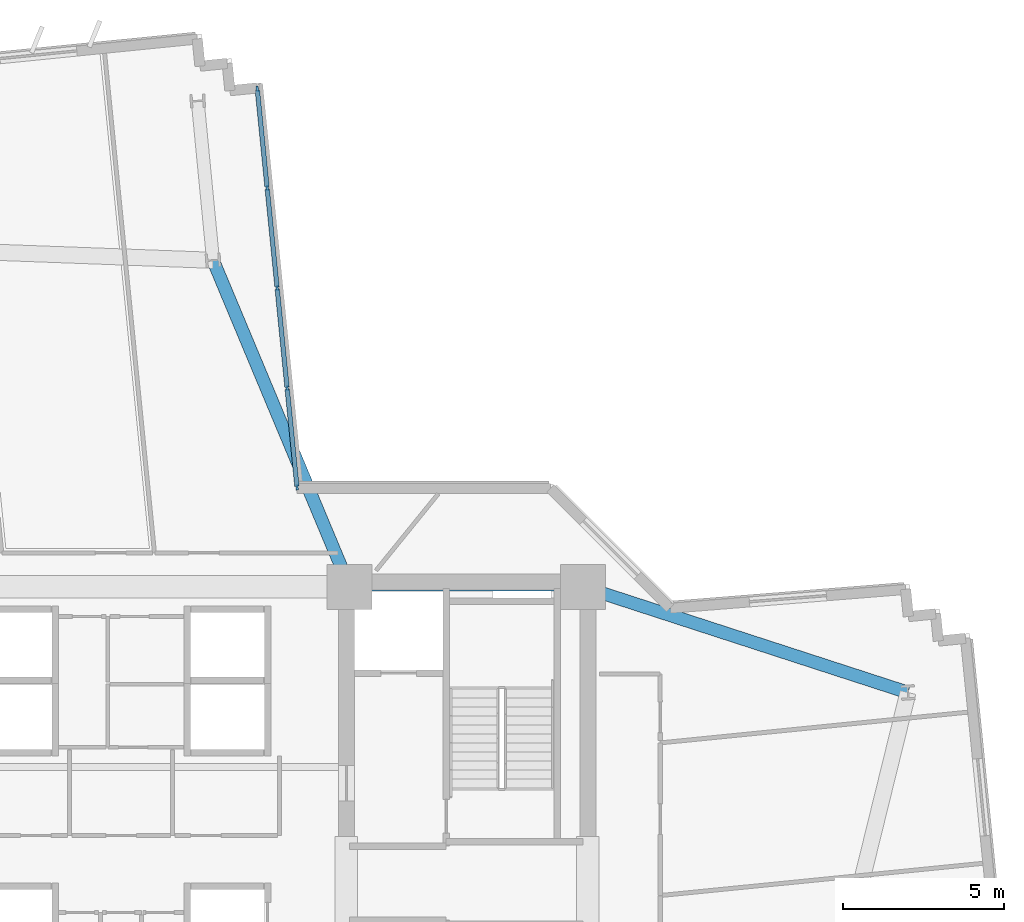
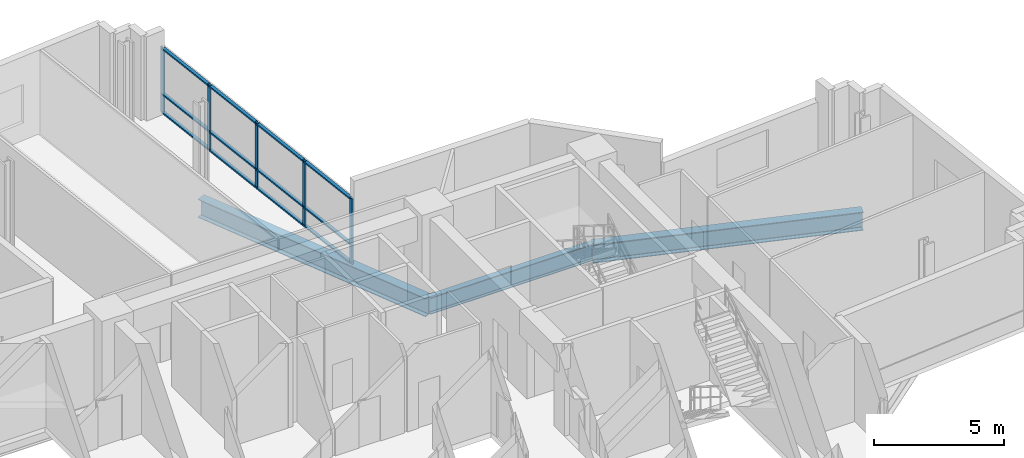
# One storey, part 4 of 14: 17 members, 3 beams, 1 element without a shape of its own.
"""IFC4 building model written with IfcOpenShell, lengths in metres."""

from ifc_helpers import new_model, si_unit, direction, frame, origin, origin_2d, place, context, subcontext, project, spatial, rectangle, i_section, extrude, source, transform, mapped, material, layer, layer_set, material_profile, profile_set, type_object, element, aggregate, save


model = new_model("IFC4")

# Units and contexts
model_context = context("Model", 3, precision=1e-05, world=origin(), true_north=direction((0.0, 1.0)))
body_context = subcontext(model_context, "Body", "Model", "MODEL_VIEW")
ifc_project = project(units=[si_unit("LENGTHUNIT", "METRE"), si_unit("AREAUNIT", "SQUARE_METRE"), si_unit("VOLUMEUNIT", "CUBIC_METRE"), si_unit("PLANEANGLEUNIT", "RADIAN"), si_unit("MASSUNIT", "GRAM", prefix="KILO")], contexts=[model_context])

# Site, building, storey
site_placement = place(None, origin())
site = spatial("IfcSite", under=ifc_project, at=site_placement, CompositionType="ELEMENT")
building_placement = place(site_placement, origin())
building = spatial("IfcBuilding", under=site, at=building_placement, Name="Zahravan Cultural Tower", CompositionType="ELEMENT")
storey_placement = place(building_placement, frame((0.0, 0.0, 100.5)))
storey = spatial("IfcBuildingStorey", under=building, at=storey_placement, Name="L22", CompositionType="ELEMENT", Elevation=100.5)

# Beams
ifc_material_1 = material(Name="Steel ASTM A992 Grade 50", Category="steel")
ifc_material_profile_1 = material_profile(ifc_material_1, i_section(OverallWidth=0.26611328125, OverallDepth=0.780029296875, WebThickness=0.0166015625, FlangeThickness=0.030029296875, FilletRadius=0.01904296875, at=origin_2d()), Name="W30X148")
ifc_profile_set_1 = profile_set([ifc_material_profile_1], Name="Steel ASTM A992 Grade 50")
beam_type_1 = type_object("IfcBeamType", Name="BM-G-W30X148", PredefinedType="BEAM", material=ifc_profile_set_1)
shared_shape_1 = source(origin(), body_context, "Body", "SweptSolid", [
    extrude(i_section(OverallWidth=0.26611328125, OverallDepth=0.780029296875, WebThickness=0.0166015625, FlangeThickness=0.030029296875, FilletRadius=0.01904296875, at=origin_2d()), origin(), (0.0, 0.0, 1.0), 7.25),
])
beam_1_placement = place(storey_placement, frame((43.10009765625, 36.199951171875, -0.639892578125), z_axis=(1.0, 0.0, 0.0), x_axis=(0.0, 1.0, 0.0)))
element("IfcBeam", 1, at=beam_1_placement, inside=storey, type_object=beam_type_1, Name="L22 Beam BG-L22-05", PredefinedType="BEAM", context=body_context, shape_type="MappedRepresentation", body=[
    mapped(shared_shape_1, transform((0.0, 0.0, 0.0), x_axis=(1.0, 0.0, 0.0), y_axis=(0.0, 1.0, 0.0), z_axis=(0.0, 0.0, 1.0), scale=1.0)),
])
ifc_material_profile_2 = material_profile(ifc_material_1, i_section(OverallWidth=0.39990234375, OverallDepth=0.862060546875, WebThickness=0.019775390625, FlangeThickness=0.032470703125, FilletRadius=0.02001953125, at=origin_2d()), Name="W33X221")
ifc_profile_set_2 = profile_set([ifc_material_profile_2], Name="Steel ASTM A992 Grade 50")
beam_type_2 = type_object("IfcBeamType", Name="BM-G-W33X221", PredefinedType="BEAM", material=ifc_profile_set_2)
shared_shape_2 = source(origin(), body_context, "Body", "SweptSolid", [
    extrude(i_section(OverallWidth=0.39990234375, OverallDepth=0.862060546875, WebThickness=0.019775390625, FlangeThickness=0.032470703125, FilletRadius=0.02001953125, at=origin_2d()), origin(), (0.0, 0.0, 1.0), 10.615966796875),
])
beam_2_placement = place(storey_placement, frame((50.35009765625, 36.199951171875, -0.680908203125), z_axis=(0.951063640083, -0.30899506875, 0.0), x_axis=(0.30899506875, 0.951063640083, 0.0)))
element("IfcBeam", 2, at=beam_2_placement, inside=storey, type_object=beam_type_2, Name="L22 Beam BG-L22-11", PredefinedType="BEAM", context=body_context, shape_type="MappedRepresentation", body=[
    mapped(shared_shape_2, transform((0.0, 0.0, 0.0), x_axis=(1.0, 0.0, 0.0), y_axis=(0.0, 1.0, 0.0), z_axis=(0.0, 0.0, 1.0), scale=1.0)),
])
shared_shape_3 = source(origin(), body_context, "Body", "SweptSolid", [
    extrude(i_section(OverallWidth=0.39990234375, OverallDepth=0.862060546875, WebThickness=0.019775390625, FlangeThickness=0.032470703125, FilletRadius=0.02001953125, at=origin_2d()), origin(), (0.0, 0.0, 1.0), 10.997802734375),
])
beam_3_placement = place(storey_placement, frame((43.10009765625, 36.199951171875, -0.680908203125), z_axis=(-0.385775211449, 0.922592806297, 0.0), x_axis=(-0.922592806297, -0.385775211449, 0.0)))
element("IfcBeam", 3, at=beam_3_placement, inside=storey, type_object=beam_type_2, Name="L22 Beam BG-L22-12", PredefinedType="BEAM", context=body_context, shape_type="MappedRepresentation", body=[
    mapped(shared_shape_3, transform((0.0, 0.0, 0.0), x_axis=(1.0, 0.0, 0.0), y_axis=(0.0, 1.0, 0.0), z_axis=(0.0, 0.0, 1.0), scale=1.0)),
])

# Curtain wall, members
ifc_material_2 = material(Name="Anodised bronze-aluminium mullion", Category="aluminium")
ifc_layer = layer(ifc_material_2, 0.179931640625)
ifc_layer_set = layer_set([ifc_layer], Name="Anodised bronze-aluminium mullion")
curtain_wall_type = type_object("IfcCurtainWallType", Name="CW-SYS-3", PredefinedType="USERDEFINED", material=ifc_layer_set)
curtain_wall_placement = place(storey_placement, origin())
curtain_wall = element("IfcCurtainWall", 4, at=curtain_wall_placement, inside=storey, type_object=curtain_wall_type, Name="L22 Recessed Curtain Wall CW-3.1", ObjectType="RECESSED GLAZING", PredefinedType="USERDEFINED")
ifc_material_profile_3 = material_profile(ifc_material_2, rectangle(XDim=0.070068359375, YDim=0.179931640625, at=origin_2d()), Name="AL-M70X180")
ifc_profile_set_3 = profile_set([ifc_material_profile_3], Name="Anodised bronze-aluminium mullion")
member_type_1 = type_object("IfcMemberType", Name="CWM-CW-3", PredefinedType="MULLION", material=ifc_profile_set_3)
shared_shape_4 = source(origin(), body_context, "Body", "SweptSolid", [
    extrude(rectangle(XDim=0.070068359375, YDim=0.179931640625, at=origin_2d()), origin(), (0.0, 0.0, 1.0), 3.070068359375),
])
member_1_placement = place(storey_placement, frame((40.23095703125, 51.667236328125, 0.0), z_axis=(0.0, 0.0, 1.0), x_axis=(0.99505538579, 0.099321594883, 0.0)))
member_1 = element("IfcMember", 5, at=member_1_placement, type_object=member_type_1, Name="CW-3 mullion 1", PredefinedType="MULLION", context=body_context, shape_type="MappedRepresentation", body=[
    mapped(shared_shape_4, transform((0.0, 0.0, 0.0), x_axis=(1.0, 0.0, 0.0), y_axis=(0.0, 1.0, 0.0), z_axis=(0.0, 0.0, 1.0), scale=1.0)),
])
member_2_placement = place(storey_placement, frame((40.5380859375, 48.591552734375, 0.0), z_axis=(0.0, 0.0, 1.0), x_axis=(0.99505538579, 0.099321594883, 0.0)))
member_2 = element("IfcMember", 6, at=member_2_placement, type_object=member_type_1, Name="CW-3 mullion 2", PredefinedType="MULLION", context=body_context, shape_type="MappedRepresentation", body=[
    mapped(shared_shape_4, transform((0.0, 0.0, 0.0), x_axis=(1.0, 0.0, 0.0), y_axis=(0.0, 1.0, 0.0), z_axis=(0.0, 0.0, 1.0), scale=1.0)),
])
member_3_placement = place(storey_placement, frame((40.848388671875, 45.48095703125, 0.0), z_axis=(0.0, 0.0, 1.0), x_axis=(0.99505538579, 0.099321594883, 0.0)))
member_3 = element("IfcMember", 7, at=member_3_placement, type_object=member_type_1, Name="CW-3 mullion 3", PredefinedType="MULLION", context=body_context, shape_type="MappedRepresentation", body=[
    mapped(shared_shape_4, transform((0.0, 0.0, 0.0), x_axis=(1.0, 0.0, 0.0), y_axis=(0.0, 1.0, 0.0), z_axis=(0.0, 0.0, 1.0), scale=1.0)),
])
member_4_placement = place(storey_placement, frame((41.158935546875, 42.37060546875, 0.0), z_axis=(0.0, 0.0, 1.0), x_axis=(0.99505538579, 0.099321594883, 0.0)))
member_4 = element("IfcMember", 8, at=member_4_placement, type_object=member_type_1, Name="CW-3 mullion 4", PredefinedType="MULLION", context=body_context, shape_type="MappedRepresentation", body=[
    mapped(shared_shape_4, transform((0.0, 0.0, 0.0), x_axis=(1.0, 0.0, 0.0), y_axis=(0.0, 1.0, 0.0), z_axis=(0.0, 0.0, 1.0), scale=1.0)),
])
member_5_placement = place(storey_placement, frame((41.4658203125, 39.294921875, 0.0), z_axis=(0.0, 0.0, 1.0), x_axis=(0.99505538579, 0.099321594883, 0.0)))
member_5 = element("IfcMember", 9, at=member_5_placement, type_object=member_type_1, Name="CW-3 mullion 5", PredefinedType="MULLION", context=body_context, shape_type="MappedRepresentation", body=[
    mapped(shared_shape_4, transform((0.0, 0.0, 0.0), x_axis=(1.0, 0.0, 0.0), y_axis=(0.0, 1.0, 0.0), z_axis=(0.0, 0.0, 1.0), scale=1.0)),
])
ifc_material_profile_4 = material_profile(ifc_material_2, rectangle(XDim=0.139892578125, YDim=0.070068359375, at=origin_2d()), Name="AL-T70X140")
ifc_profile_set_4 = profile_set([ifc_material_profile_4], Name="Anodised bronze-aluminium mullion")
member_type_2 = type_object("IfcMemberType", Name="CWT-CW-3", PredefinedType="USERDEFINED", material=ifc_profile_set_4)
shared_shape_5 = source(origin(), body_context, "Body", "SweptSolid", [
    extrude(rectangle(XDim=0.139892578125, YDim=0.070068359375, at=origin_2d()), origin(), (0.0, 0.0, 1.0), 3.02099609375),
])
member_6_placement = place(storey_placement, frame((40.234375, 51.63232421875, 0.034912109375), z_axis=(0.099319686771, -0.995055576247, 0.0), x_axis=(0.995055576247, 0.099319686771, 0.0)))
member_6 = element("IfcMember", 10, at=member_6_placement, type_object=member_type_2, Name="CW-3 transom 1.1", ObjectType="TRANSOM", PredefinedType="USERDEFINED", context=body_context, shape_type="MappedRepresentation", body=[
    mapped(shared_shape_5, transform((0.0, 0.0, 0.0), x_axis=(1.0, 0.0, 0.0), y_axis=(0.0, 1.0, 0.0), z_axis=(0.0, 0.0, 1.0), scale=1.0)),
])
member_7_placement = place(storey_placement, frame((40.234375, 51.63232421875, 0.89990234375), z_axis=(0.099319686771, -0.995055576247, 0.0), x_axis=(0.995055576247, 0.099319686771, 0.0)))
member_7 = element("IfcMember", 11, at=member_7_placement, type_object=member_type_2, Name="CW-3 transom 1.2", ObjectType="TRANSOM", PredefinedType="USERDEFINED", context=body_context, shape_type="MappedRepresentation", body=[
    mapped(shared_shape_5, transform((0.0, 0.0, 0.0), x_axis=(1.0, 0.0, 0.0), y_axis=(0.0, 1.0, 0.0), z_axis=(0.0, 0.0, 1.0), scale=1.0)),
])
member_8_placement = place(storey_placement, frame((40.234375, 51.63232421875, 3.034912109375), z_axis=(0.099319686771, -0.995055576247, 0.0), x_axis=(0.995055576247, 0.099319686771, 0.0)))
member_8 = element("IfcMember", 12, at=member_8_placement, type_object=member_type_2, Name="CW-3 transom 1.3", ObjectType="TRANSOM", PredefinedType="USERDEFINED", context=body_context, shape_type="MappedRepresentation", body=[
    mapped(shared_shape_5, transform((0.0, 0.0, 0.0), x_axis=(1.0, 0.0, 0.0), y_axis=(0.0, 1.0, 0.0), z_axis=(0.0, 0.0, 1.0), scale=1.0)),
])
member_9_placement = place(storey_placement, frame((41.162353515625, 42.335693359375, 0.034912109375), z_axis=(0.099319686771, -0.995055576247, 0.0), x_axis=(0.995055576247, 0.099319686771, 0.0)))
member_9 = element("IfcMember", 13, at=member_9_placement, type_object=member_type_2, Name="CW-3 transom 4.1", ObjectType="TRANSOM", PredefinedType="USERDEFINED", context=body_context, shape_type="MappedRepresentation", body=[
    mapped(shared_shape_5, transform((0.0, 0.0, 0.0), x_axis=(1.0, 0.0, 0.0), y_axis=(0.0, 1.0, 0.0), z_axis=(0.0, 0.0, 1.0), scale=1.0)),
])
member_10_placement = place(storey_placement, frame((41.162353515625, 42.335693359375, 0.89990234375), z_axis=(0.099319686771, -0.995055576247, 0.0), x_axis=(0.995055576247, 0.099319686771, 0.0)))
member_10 = element("IfcMember", 14, at=member_10_placement, type_object=member_type_2, Name="CW-3 transom 4.2", ObjectType="TRANSOM", PredefinedType="USERDEFINED", context=body_context, shape_type="MappedRepresentation", body=[
    mapped(shared_shape_5, transform((0.0, 0.0, 0.0), x_axis=(1.0, 0.0, 0.0), y_axis=(0.0, 1.0, 0.0), z_axis=(0.0, 0.0, 1.0), scale=1.0)),
])
member_11_placement = place(storey_placement, frame((41.162353515625, 42.335693359375, 3.034912109375), z_axis=(0.099319686771, -0.995055576247, 0.0), x_axis=(0.995055576247, 0.099319686771, 0.0)))
member_11 = element("IfcMember", 15, at=member_11_placement, type_object=member_type_2, Name="CW-3 transom 4.3", ObjectType="TRANSOM", PredefinedType="USERDEFINED", context=body_context, shape_type="MappedRepresentation", body=[
    mapped(shared_shape_5, transform((0.0, 0.0, 0.0), x_axis=(1.0, 0.0, 0.0), y_axis=(0.0, 1.0, 0.0), z_axis=(0.0, 0.0, 1.0), scale=1.0)),
])
shared_shape_6 = source(origin(), body_context, "Body", "SweptSolid", [
    extrude(rectangle(XDim=0.139892578125, YDim=0.070068359375, at=origin_2d()), origin(), (0.0, 0.0, 1.0), 3.055908203125),
])
member_12_placement = place(storey_placement, frame((40.54150390625, 48.556640625, 0.034912109375), z_axis=(0.099305964166, -0.995056945848, 0.0), x_axis=(0.995056945848, 0.099305964166, 0.0)))
member_12 = element("IfcMember", 16, at=member_12_placement, type_object=member_type_2, Name="CW-3 transom 2.1", ObjectType="TRANSOM", PredefinedType="USERDEFINED", context=body_context, shape_type="MappedRepresentation", body=[
    mapped(shared_shape_6, transform((0.0, 0.0, 0.0), x_axis=(1.0, 0.0, 0.0), y_axis=(0.0, 1.0, 0.0), z_axis=(0.0, 0.0, 1.0), scale=1.0)),
])
member_13_placement = place(storey_placement, frame((40.54150390625, 48.556640625, 0.89990234375), z_axis=(0.099305964166, -0.995056945848, 0.0), x_axis=(0.995056945848, 0.099305964166, 0.0)))
member_13 = element("IfcMember", 17, at=member_13_placement, type_object=member_type_2, Name="CW-3 transom 2.2", ObjectType="TRANSOM", PredefinedType="USERDEFINED", context=body_context, shape_type="MappedRepresentation", body=[
    mapped(shared_shape_6, transform((0.0, 0.0, 0.0), x_axis=(1.0, 0.0, 0.0), y_axis=(0.0, 1.0, 0.0), z_axis=(0.0, 0.0, 1.0), scale=1.0)),
])
member_14_placement = place(storey_placement, frame((40.54150390625, 48.556640625, 3.034912109375), z_axis=(0.099305964166, -0.995056945848, 0.0), x_axis=(0.995056945848, 0.099305964166, 0.0)))
member_14 = element("IfcMember", 18, at=member_14_placement, type_object=member_type_2, Name="CW-3 transom 2.3", ObjectType="TRANSOM", PredefinedType="USERDEFINED", context=body_context, shape_type="MappedRepresentation", body=[
    mapped(shared_shape_6, transform((0.0, 0.0, 0.0), x_axis=(1.0, 0.0, 0.0), y_axis=(0.0, 1.0, 0.0), z_axis=(0.0, 0.0, 1.0), scale=1.0)),
])
shared_shape_7 = source(origin(), body_context, "Body", "SweptSolid", [
    extrude(rectangle(XDim=0.139892578125, YDim=0.070068359375, at=origin_2d()), origin(), (0.0, 0.0, 1.0), 3.05615234375),
])
member_15_placement = place(storey_placement, frame((40.851806640625, 45.4462890625, 0.034912109375), z_axis=(0.099377167432, -0.995049837241, 0.0), x_axis=(0.995049837241, 0.099377167432, 0.0)))
member_15 = element("IfcMember", 19, at=member_15_placement, type_object=member_type_2, Name="CW-3 transom 3.1", ObjectType="TRANSOM", PredefinedType="USERDEFINED", context=body_context, shape_type="MappedRepresentation", body=[
    mapped(shared_shape_7, transform((0.0, 0.0, 0.0), x_axis=(1.0, 0.0, 0.0), y_axis=(0.0, 1.0, 0.0), z_axis=(0.0, 0.0, 1.0), scale=1.0)),
])
member_16_placement = place(storey_placement, frame((40.851806640625, 45.4462890625, 0.89990234375), z_axis=(0.099377167432, -0.995049837241, 0.0), x_axis=(0.995049837241, 0.099377167432, 0.0)))
member_16 = element("IfcMember", 20, at=member_16_placement, type_object=member_type_2, Name="CW-3 transom 3.2", ObjectType="TRANSOM", PredefinedType="USERDEFINED", context=body_context, shape_type="MappedRepresentation", body=[
    mapped(shared_shape_7, transform((0.0, 0.0, 0.0), x_axis=(1.0, 0.0, 0.0), y_axis=(0.0, 1.0, 0.0), z_axis=(0.0, 0.0, 1.0), scale=1.0)),
])
member_17_placement = place(storey_placement, frame((40.851806640625, 45.4462890625, 3.034912109375), z_axis=(0.099377167432, -0.995049837241, 0.0), x_axis=(0.995049837241, 0.099377167432, 0.0)))
member_17 = element("IfcMember", 21, at=member_17_placement, type_object=member_type_2, Name="CW-3 transom 3.3", ObjectType="TRANSOM", PredefinedType="USERDEFINED", context=body_context, shape_type="MappedRepresentation", body=[
    mapped(shared_shape_7, transform((0.0, 0.0, 0.0), x_axis=(1.0, 0.0, 0.0), y_axis=(0.0, 1.0, 0.0), z_axis=(0.0, 0.0, 1.0), scale=1.0)),
])
aggregate(curtain_wall, [member_1, member_2, member_3, member_4, member_5, member_6, member_7, member_8, member_12, member_13, member_14, member_15, member_16, member_17, member_9, member_10, member_11])

save(model, "model.ifc")
